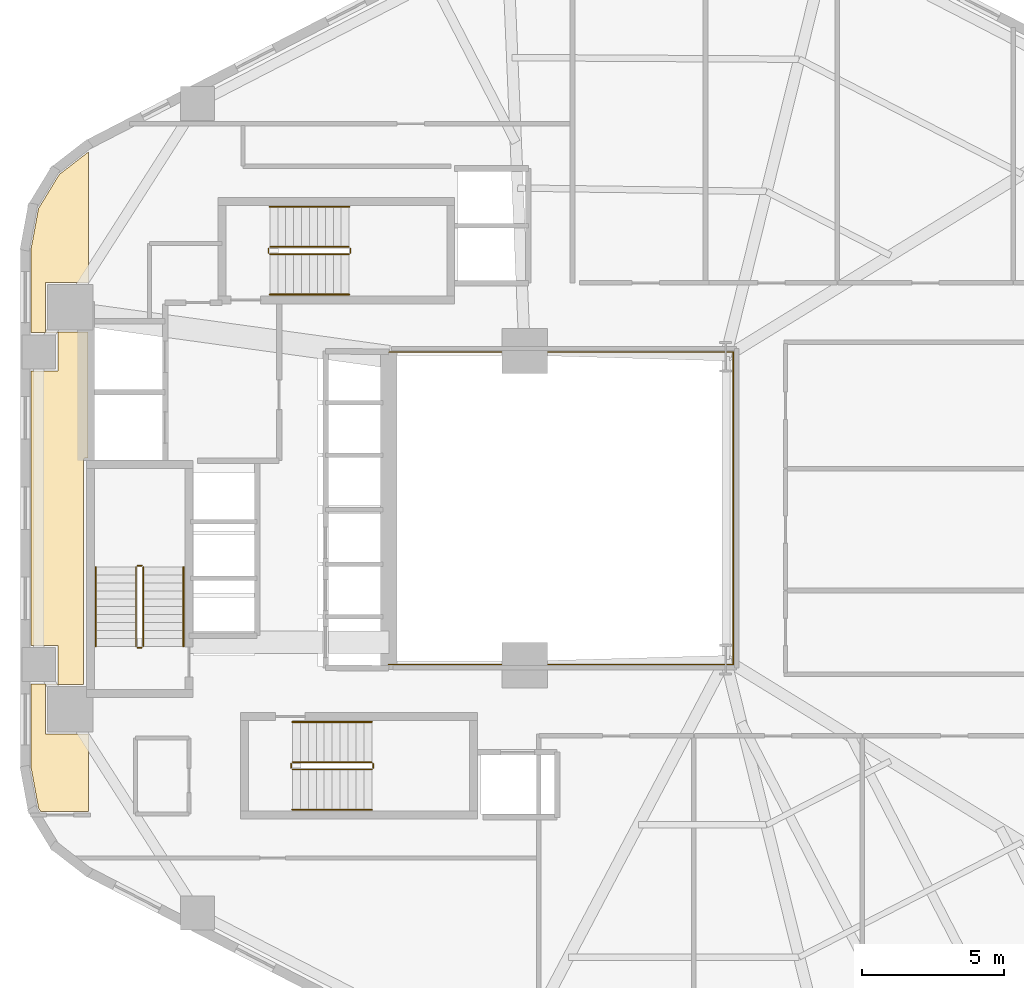
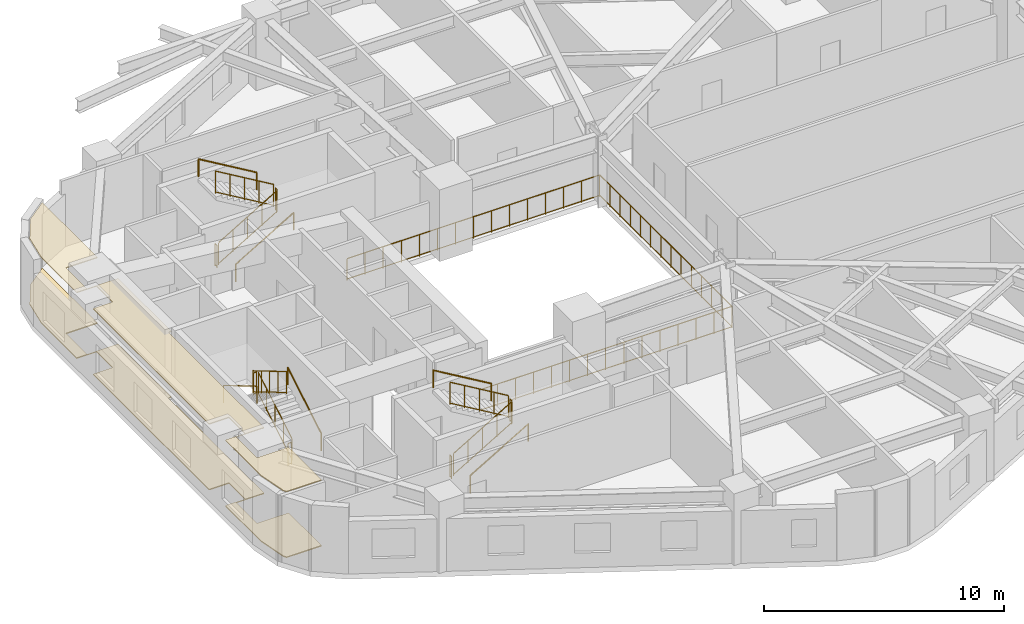
# One storey, part 7 of 7: 19 railings, 2 coverings.
"""IFC4 building model written with IfcOpenShell, lengths in metres."""

from ifc_helpers import new_model, si_unit, direction, frame, origin, origin_2d, place, context, subcontext, project, spatial, polyline, circle, outline, extrude, material, layer, layer_set, type_object, element, save


model = new_model("IFC4")

# Units and contexts
model_context = context("Model", 3, precision=1e-05, world=origin(), true_north=direction((0.0, 1.0)))
body_context = subcontext(model_context, "Body", "Model", "MODEL_VIEW")
ifc_project = project(units=[si_unit("LENGTHUNIT", "METRE"), si_unit("AREAUNIT", "SQUARE_METRE"), si_unit("VOLUMEUNIT", "CUBIC_METRE"), si_unit("PLANEANGLEUNIT", "RADIAN"), si_unit("MASSUNIT", "GRAM", prefix="KILO"), si_unit("THERMODYNAMICTEMPERATUREUNIT", "KELVIN"), si_unit("POWERUNIT", "WATT")], contexts=[model_context])

# Site, building, storey
site_placement = place(None, origin())
site = spatial("IfcSite", under=ifc_project, at=site_placement, CompositionType="ELEMENT")
building_placement = place(site_placement, origin())
building = spatial("IfcBuilding", under=site, at=building_placement, Name="Skarre Station Tower", CompositionType="ELEMENT")
storey_placement = place(building_placement, frame((0.0, 0.0, 41.60009765625)))
storey = spatial("IfcBuildingStorey", under=building, at=storey_placement, Name="L10", CompositionType="ELEMENT", Elevation=41.60009765625)

# Railing
ifc_material_1 = material(Name="Bronze Anodized Steel & Laminated Glass Balustrade", Category="steel")
railing_type_1 = type_object("IfcRailingType", Name="Atrium Void & Mezzanine Guard Balustrade 1120", PredefinedType="GUARDRAIL", material=ifc_material_1)
railing_1_placement = place(storey_placement, frame((27.550048828125, 18.47998046875, 0.0)))
element("IfcRailing", 1, at=railing_1_placement, inside=storey, type_object=railing_type_1, Name="L10 Atrium Void Guard Balustrade", PredefinedType="GUARDRAIL", context=body_context, shape_type="SweptSolid", body=[
    extrude(circle(Radius=0.02392578125, at=origin_2d()), frame((0.0, 0.0, 1.09619140625), z_axis=(1.0, 0.0, 0.0), x_axis=(0.0, 1.0, 0.0)), (0.0, 0.0, 1.0), 12.169921875),
    extrude(circle(Radius=0.02099609375, at=origin_2d()), frame((0.0, 0.0, 0.06005859375), z_axis=(1.0, 0.0, 0.0), x_axis=(0.0, 1.0, 0.0)), (0.0, 0.0, 1.0), 12.169921875),
    extrude(circle(Radius=0.02392578125, at=origin_2d()), frame((12.169921875, 0.0, 1.09619140625), z_axis=(0.0, 1.0, 0.0), x_axis=(-1.0, 0.0, 0.0)), (0.0, 0.0, 1.0), 11.0400390625),
    extrude(circle(Radius=0.02099609375, at=origin_2d()), frame((12.169921875, 0.0, 0.06005859375), z_axis=(0.0, 1.0, 0.0), x_axis=(-1.0, 0.0, 0.0)), (0.0, 0.0, 1.0), 11.0400390625),
    extrude(circle(Radius=0.02392578125, at=origin_2d()), frame((12.169921875, 11.0400390625, 1.09619140625), z_axis=(-1.0, 0.0, 0.0), x_axis=(0.0, -1.0, 0.0)), (0.0, 0.0, 1.0), 12.169921875),
    extrude(circle(Radius=0.02099609375, at=origin_2d()), frame((12.169921875, 11.0400390625, 0.06005859375), z_axis=(-1.0, 0.0, 0.0), x_axis=(0.0, -1.0, 0.0)), (0.0, 0.0, 1.0), 12.169921875),
    extrude(circle(Radius=0.02099609375, at=origin_2d()), origin(), (0.0, 0.0, 1.0), 1.072021484375),
    extrude(circle(Radius=0.02099609375, at=origin_2d()), frame((0.869384765625, 0.0, 0.0)), (0.0, 0.0, 1.0), 1.072021484375),
    extrude(circle(Radius=0.02099609375, at=origin_2d()), frame((1.738525390625, 0.0, 0.0)), (0.0, 0.0, 1.0), 1.072021484375),
    extrude(circle(Radius=0.02099609375, at=origin_2d()), frame((2.60791015625, 0.0, 0.0)), (0.0, 0.0, 1.0), 1.072021484375),
    extrude(circle(Radius=0.02099609375, at=origin_2d()), frame((3.47705078125, 0.0, 0.0)), (0.0, 0.0, 1.0), 1.072021484375),
    extrude(circle(Radius=0.02099609375, at=origin_2d()), frame((4.346435546875, 0.0, 0.0)), (0.0, 0.0, 1.0), 1.072021484375),
    extrude(circle(Radius=0.02099609375, at=origin_2d()), frame((5.215576171875, 0.0, 0.0)), (0.0, 0.0, 1.0), 1.072021484375),
    extrude(circle(Radius=0.02099609375, at=origin_2d()), frame((6.0849609375, 0.0, 0.0)), (0.0, 0.0, 1.0), 1.072021484375),
    extrude(circle(Radius=0.02099609375, at=origin_2d()), frame((6.954345703125, 0.0, 0.0)), (0.0, 0.0, 1.0), 1.072021484375),
    extrude(circle(Radius=0.02099609375, at=origin_2d()), frame((7.823486328125, 0.0, 0.0)), (0.0, 0.0, 1.0), 1.072021484375),
    extrude(circle(Radius=0.02099609375, at=origin_2d()), frame((8.69287109375, 0.0, 0.0)), (0.0, 0.0, 1.0), 1.072021484375),
    extrude(circle(Radius=0.02099609375, at=origin_2d()), frame((9.56201171875, 0.0, 0.0)), (0.0, 0.0, 1.0), 1.072021484375),
    extrude(circle(Radius=0.02099609375, at=origin_2d()), frame((10.431396484375, 0.0, 0.0)), (0.0, 0.0, 1.0), 1.072021484375),
    extrude(circle(Radius=0.02099609375, at=origin_2d()), frame((11.300537109375, 0.0, 0.0)), (0.0, 0.0, 1.0), 1.072021484375),
    extrude(circle(Radius=0.02099609375, at=origin_2d()), frame((12.169921875, 0.0, 0.0)), (0.0, 0.0, 1.0), 1.072021484375),
    extrude(circle(Radius=0.02099609375, at=origin_2d()), frame((12.169921875, 0.84912109375, 0.0)), (0.0, 0.0, 1.0), 1.072021484375),
    extrude(circle(Radius=0.02099609375, at=origin_2d()), frame((12.169921875, 1.698486328125, 0.0)), (0.0, 0.0, 1.0), 1.072021484375),
    extrude(circle(Radius=0.02099609375, at=origin_2d()), frame((12.169921875, 2.547607421875, 0.0)), (0.0, 0.0, 1.0), 1.072021484375),
    extrude(circle(Radius=0.02099609375, at=origin_2d()), frame((12.169921875, 3.39697265625, 0.0)), (0.0, 0.0, 1.0), 1.072021484375),
    extrude(circle(Radius=0.02099609375, at=origin_2d()), frame((12.169921875, 4.24609375, 0.0)), (0.0, 0.0, 1.0), 1.072021484375),
    extrude(circle(Radius=0.02099609375, at=origin_2d()), frame((12.169921875, 5.095458984375, 0.0)), (0.0, 0.0, 1.0), 1.072021484375),
    extrude(circle(Radius=0.02099609375, at=origin_2d()), frame((12.169921875, 5.944580078125, 0.0)), (0.0, 0.0, 1.0), 1.072021484375),
    extrude(circle(Radius=0.02099609375, at=origin_2d()), frame((12.169921875, 6.7939453125, 0.0)), (0.0, 0.0, 1.0), 1.072021484375),
    extrude(circle(Radius=0.02099609375, at=origin_2d()), frame((12.169921875, 7.64306640625, 0.0)), (0.0, 0.0, 1.0), 1.072021484375),
    extrude(circle(Radius=0.02099609375, at=origin_2d()), frame((12.169921875, 8.492431640625, 0.0)), (0.0, 0.0, 1.0), 1.072021484375),
    extrude(circle(Radius=0.02099609375, at=origin_2d()), frame((12.169921875, 9.341552734375, 0.0)), (0.0, 0.0, 1.0), 1.072021484375),
    extrude(circle(Radius=0.02099609375, at=origin_2d()), frame((12.169921875, 10.19091796875, 0.0)), (0.0, 0.0, 1.0), 1.072021484375),
    extrude(circle(Radius=0.02099609375, at=origin_2d()), frame((12.169921875, 11.0400390625, 0.0)), (0.0, 0.0, 1.0), 1.072021484375),
    extrude(circle(Radius=0.02099609375, at=origin_2d()), frame((11.300537109375, 11.0400390625, 0.0)), (0.0, 0.0, 1.0), 1.072021484375),
    extrude(circle(Radius=0.02099609375, at=origin_2d()), frame((10.431396484375, 11.0400390625, 0.0)), (0.0, 0.0, 1.0), 1.072021484375),
    extrude(circle(Radius=0.02099609375, at=origin_2d()), frame((9.56201171875, 11.0400390625, 0.0)), (0.0, 0.0, 1.0), 1.072021484375),
    extrude(circle(Radius=0.02099609375, at=origin_2d()), frame((8.69287109375, 11.0400390625, 0.0)), (0.0, 0.0, 1.0), 1.072021484375),
    extrude(circle(Radius=0.02099609375, at=origin_2d()), frame((7.823486328125, 11.0400390625, 0.0)), (0.0, 0.0, 1.0), 1.072021484375),
    extrude(circle(Radius=0.02099609375, at=origin_2d()), frame((6.954345703125, 11.0400390625, 0.0)), (0.0, 0.0, 1.0), 1.072021484375),
    extrude(circle(Radius=0.02099609375, at=origin_2d()), frame((6.0849609375, 11.0400390625, 0.0)), (0.0, 0.0, 1.0), 1.072021484375),
    extrude(circle(Radius=0.02099609375, at=origin_2d()), frame((5.215576171875, 11.0400390625, 0.0)), (0.0, 0.0, 1.0), 1.072021484375),
    extrude(circle(Radius=0.02099609375, at=origin_2d()), frame((4.346435546875, 11.0400390625, 0.0)), (0.0, 0.0, 1.0), 1.072021484375),
    extrude(circle(Radius=0.02099609375, at=origin_2d()), frame((3.47705078125, 11.0400390625, 0.0)), (0.0, 0.0, 1.0), 1.072021484375),
    extrude(circle(Radius=0.02099609375, at=origin_2d()), frame((2.60791015625, 11.0400390625, 0.0)), (0.0, 0.0, 1.0), 1.072021484375),
    extrude(circle(Radius=0.02099609375, at=origin_2d()), frame((1.738525390625, 11.0400390625, 0.0)), (0.0, 0.0, 1.0), 1.072021484375),
    extrude(circle(Radius=0.02099609375, at=origin_2d()), frame((0.869384765625, 11.0400390625, 0.0)), (0.0, 0.0, 1.0), 1.072021484375),
    extrude(circle(Radius=0.02099609375, at=origin_2d()), frame((0.0, 11.0400390625, 0.0)), (0.0, 0.0, 1.0), 1.072021484375),
])

# Coverings
ifc_material_2 = material(Name="Honed Jura Limestone & Calcium-Sulfate Access Tile", Category="masonry")
ifc_layer_1 = layer(ifc_material_2, 0.050048828125, Name="Honed Jura Limestone & Calcium-Sulfate Access Tile")
ifc_layer_set_1 = layer_set([ifc_layer_1], Name="Honed Jura Limestone & Calcium-Sulfate Access Tile")
covering_type_1 = type_object("IfcCoveringType", Name="Honed Limestone & Raised Access Floor Finish 50", PredefinedType="FLOORING", material=ifc_layer_set_1)
covering_1_placement = place(storey_placement, origin())
element("IfcCovering", 2, at=covering_1_placement, inside=storey, type_object=covering_type_1, Name="L10 Limestone Access Flooring 1", PredefinedType="FLOORING", context=body_context, shape_type="SweptSolid", body=[
    extrude(outline(polyline([(16.93994140625, 36.583984375), (15.910888671875, 35.787109375), (15.178955078125, 34.5859375), (14.9169921875, 33.1669921875), (14.9169921875, 30.200927734375), (15.866943359375, 30.200927734375), (15.866943359375, 28.841064453125), (14.9169921875, 28.841064453125), (14.9169921875, 19.158935546875), (15.866943359375, 19.158935546875), (15.866943359375, 17.799072265625), (14.9169921875, 17.799072265625), (14.9169921875, 14.8330078125), (15.178955078125, 13.4140625), (15.260986328125, 13.280029296875), (16.93994140625, 13.280029296875), (16.93994140625, 16.02001953125), (15.419921875, 16.02001953125), (15.419921875, 17.780029296875), (16.77001953125, 17.780029296875), (16.77001953125, 25.699951171875), (16.77001953125, 25.7080078125), (16.77197265625, 25.716064453125), (16.77294921875, 25.722900390625), (16.77587890625, 25.73095703125), (16.779052734375, 25.738037109375), (16.782958984375, 25.743896484375), (16.7880859375, 25.7509765625), (16.79296875, 25.757080078125), (16.799072265625, 25.761962890625), (16.805908203125, 25.76708984375), (16.81201171875, 25.77099609375), (16.819091796875, 25.77392578125), (16.826904296875, 25.777099609375), (16.833984375, 25.778076171875), (16.842041015625, 25.780029296875), (16.85009765625, 25.780029296875), (16.919921875, 25.780029296875), (16.919921875, 30.219970703125), (15.419921875, 30.219970703125), (15.419921875, 31.97998046875), (16.93994140625, 31.97998046875), (16.93994140625, 36.583984375)])), origin(), (0.0, 0.0, 1.0), 0.0498046875),
])
ifc_material_3 = material(Name="Perforated Nordic Birch Veneer & Mineral Wool", Category="wood")
ifc_layer_2 = layer(ifc_material_3, 0.044921875, Name="Perforated Nordic Birch Veneer & Mineral Wool")
ifc_layer_set_2 = layer_set([ifc_layer_2], Name="Perforated Nordic Birch Veneer & Mineral Wool")
covering_type_2 = type_object("IfcCoveringType", Name="Nordic Birch Slatted Acoustic Suspended Ceiling 45", PredefinedType="CEILING", material=ifc_layer_set_2)
covering_2_placement = place(storey_placement, frame((0.0, 0.0, 3.344970703125)))
element("IfcCovering", 3, at=covering_2_placement, inside=storey, type_object=covering_type_2, Name="L10 Acoustic Birch Ceiling 1", PredefinedType="CEILING", context=body_context, shape_type="SweptSolid", body=[
    extrude(outline(polyline([(16.93994140625, 36.583984375), (15.910888671875, 35.787109375), (15.178955078125, 34.5859375), (14.9169921875, 33.1669921875), (14.9169921875, 30.200927734375), (15.866943359375, 30.200927734375), (15.866943359375, 28.841064453125), (14.9169921875, 28.841064453125), (14.9169921875, 19.158935546875), (15.866943359375, 19.158935546875), (15.866943359375, 17.799072265625), (14.9169921875, 17.799072265625), (14.9169921875, 14.8330078125), (15.178955078125, 13.4140625), (15.260986328125, 13.280029296875), (16.93994140625, 13.280029296875), (16.93994140625, 16.02001953125), (15.419921875, 16.02001953125), (15.419921875, 17.780029296875), (16.77001953125, 17.780029296875), (16.77001953125, 25.699951171875), (16.77001953125, 25.7080078125), (16.77197265625, 25.716064453125), (16.77294921875, 25.722900390625), (16.77587890625, 25.73095703125), (16.779052734375, 25.738037109375), (16.782958984375, 25.743896484375), (16.7880859375, 25.7509765625), (16.79296875, 25.757080078125), (16.799072265625, 25.761962890625), (16.805908203125, 25.76708984375), (16.81201171875, 25.77099609375), (16.819091796875, 25.77392578125), (16.826904296875, 25.777099609375), (16.833984375, 25.778076171875), (16.842041015625, 25.780029296875), (16.85009765625, 25.780029296875), (16.919921875, 25.780029296875), (16.919921875, 30.219970703125), (15.419921875, 30.219970703125), (15.419921875, 31.97998046875), (16.93994140625, 31.97998046875), (16.93994140625, 36.583984375)])), origin(), (0.0, 0.0, 1.0), 0.044921875),
])

# Railings
ifc_material_4 = material(Name="Powder-Coated Tubular Steel", Category="steel")
railing_type_2 = type_object("IfcRailingType", Name="Painted Steel Ramp & Stair Handrail 920", PredefinedType="HANDRAIL", material=ifc_material_4)
railing_2_placement = place(storey_placement, frame((20.300048828125, 19.1201171875, 0.165771484375)))
element("IfcRailing", 4, at=railing_2_placement, inside=storey, type_object=railing_type_2, Name="L10 ST-1 stair handrail 1", PredefinedType="HANDRAIL", context=body_context, shape_type="SweptSolid", body=[
    extrude(circle(Radius=0.02392578125, at=origin_2d()), frame((0.0, 0.0, 0.8759765625), z_axis=(0.0, 0.860286659441, 0.509810615413), x_axis=(-1.0, 0.0, 0.0)), (0.0, 0.0, 1.0), 3.25439453125),
    extrude(circle(Radius=0.02099609375, at=origin_2d()), origin(), (0.0, 0.0, 1.0), 0.851806640625),
    extrude(circle(Radius=0.02099609375, at=origin_2d()), frame((0.0, 2.7998046875, 1.6591796875)), (0.0, 0.0, 1.0), 0.851806640625),
])
railing_3_placement = place(storey_placement, frame((17.199951171875, 21.919921875, 1.99072265625)))
element("IfcRailing", 5, at=railing_3_placement, inside=storey, type_object=railing_type_2, Name="L10 ST-1 stair handrail 2", PredefinedType="HANDRAIL", context=body_context, shape_type="SweptSolid", body=[
    extrude(circle(Radius=0.02392578125, at=origin_2d()), frame((0.0, 0.0, 0.8759765625), z_axis=(0.0, -0.860286659441, 0.509810615413), x_axis=(1.0, 0.0, 0.0)), (0.0, 0.0, 1.0), 3.25439453125),
    extrude(circle(Radius=0.02099609375, at=origin_2d()), origin(), (0.0, 0.0, 1.0), 0.851806640625),
    extrude(circle(Radius=0.02099609375, at=origin_2d()), frame((0.0, -2.7998046875, 1.6591796875)), (0.0, 0.0, 1.0), 0.851806640625),
])
railing_4_placement = place(storey_placement, frame((24.14990234375, 13.35009765625, 0.165771484375)))
element("IfcRailing", 6, at=railing_4_placement, inside=storey, type_object=railing_type_2, Name="L10 ST-2 stair handrail 1", PredefinedType="HANDRAIL", context=body_context, shape_type="SweptSolid", body=[
    extrude(circle(Radius=0.02392578125, at=origin_2d()), frame((0.0, 0.0, 0.8759765625), z_axis=(0.860306154799, 0.0, 0.50977771628), x_axis=(0.0, 1.0, 0.0)), (0.0, 0.0, 1.0), 3.254638671875),
    extrude(circle(Radius=0.02099609375, at=origin_2d()), origin(), (0.0, 0.0, 1.0), 0.851806640625),
    extrude(circle(Radius=0.02099609375, at=origin_2d()), frame((2.800048828125, 0.0, 1.6591796875)), (0.0, 0.0, 1.0), 0.851806640625),
])
railing_5_placement = place(storey_placement, frame((26.949951171875, 16.449951171875, 1.99072265625)))
element("IfcRailing", 7, at=railing_5_placement, inside=storey, type_object=railing_type_2, Name="L10 ST-2 stair handrail 2", PredefinedType="HANDRAIL", context=body_context, shape_type="SweptSolid", body=[
    extrude(circle(Radius=0.02392578125, at=origin_2d()), frame((0.0, 0.0, 0.8759765625), z_axis=(-0.860306154799, 0.0, 0.50977771628), x_axis=(0.0, -1.0, 0.0)), (0.0, 0.0, 1.0), 3.254638671875),
    extrude(circle(Radius=0.02099609375, at=origin_2d()), origin(), (0.0, 0.0, 1.0), 0.851806640625),
    extrude(circle(Radius=0.02099609375, at=origin_2d()), frame((-2.800048828125, 0.0, 1.6591796875)), (0.0, 0.0, 1.0), 0.851806640625),
])
railing_6_placement = place(storey_placement, frame((23.35009765625, 31.550048828125, 0.165771484375)))
element("IfcRailing", 8, at=railing_6_placement, inside=storey, type_object=railing_type_2, Name="L10 ST-3 stair handrail 1", PredefinedType="HANDRAIL", context=body_context, shape_type="SweptSolid", body=[
    extrude(circle(Radius=0.02392578125, at=origin_2d()), frame((0.0, 0.0, 0.8759765625), z_axis=(0.860286659441, 0.0, 0.509810615413), x_axis=(0.0, 1.0, 0.0)), (0.0, 0.0, 1.0), 3.25439453125),
    extrude(circle(Radius=0.02099609375, at=origin_2d()), origin(), (0.0, 0.0, 1.0), 0.851806640625),
    extrude(circle(Radius=0.02099609375, at=origin_2d()), frame((2.7998046875, 0.0, 1.6591796875)), (0.0, 0.0, 1.0), 0.851806640625),
])
railing_7_placement = place(storey_placement, frame((26.14990234375, 34.64990234375, 1.99072265625)))
element("IfcRailing", 9, at=railing_7_placement, inside=storey, type_object=railing_type_2, Name="L10 ST-3 stair handrail 2", PredefinedType="HANDRAIL", context=body_context, shape_type="SweptSolid", body=[
    extrude(circle(Radius=0.02392578125, at=origin_2d()), frame((0.0, 0.0, 0.8759765625), z_axis=(-0.860286659441, 0.0, 0.509810615413), x_axis=(0.0, -1.0, 0.0)), (0.0, 0.0, 1.0), 3.25439453125),
    extrude(circle(Radius=0.02099609375, at=origin_2d()), origin(), (0.0, 0.0, 1.0), 0.851806640625),
    extrude(circle(Radius=0.02099609375, at=origin_2d()), frame((-2.7998046875, 0.0, 1.6591796875)), (0.0, 0.0, 1.0), 0.851806640625),
])
railing_type_3 = type_object("IfcRailingType", Name="Painted Steel Stairwell Guardrail 1100", PredefinedType="GUARDRAIL", material=ifc_material_4)
railing_8_placement = place(storey_placement, frame((18.8798828125, 19.1201171875, 0.165771484375)))
element("IfcRailing", 10, at=railing_8_placement, inside=storey, type_object=railing_type_3, Name="L10 ST-1 stair guard 1", PredefinedType="GUARDRAIL", context=body_context, shape_type="SweptSolid", body=[
    extrude(circle(Radius=0.02392578125, at=origin_2d()), frame((0.0, 0.0, 1.1259765625), z_axis=(0.0, 0.860286659441, 0.509810615413), x_axis=(-1.0, 0.0, 0.0)), (0.0, 0.0, 1.0), 3.25439453125),
    extrude(circle(Radius=0.02099609375, at=origin_2d()), frame((0.0, 0.0, 0.06005859375), z_axis=(0.0, 0.860286659441, 0.509810615413), x_axis=(-1.0, 0.0, 0.0)), (0.0, 0.0, 1.0), 3.25439453125),
    extrude(circle(Radius=0.02099609375, at=origin_2d()), origin(), (0.0, 0.0, 1.0), 1.101806640625),
    extrude(circle(Radius=0.02099609375, at=origin_2d()), frame((0.0, 0.699951171875, 0.414794921875)), (0.0, 0.0, 1.0), 1.101806640625),
    extrude(circle(Radius=0.02099609375, at=origin_2d()), frame((0.0, 1.39990234375, 0.82958984375)), (0.0, 0.0, 1.0), 1.101806640625),
    extrude(circle(Radius=0.02099609375, at=origin_2d()), frame((0.0, 2.099853515625, 1.244384765625)), (0.0, 0.0, 1.0), 1.101806640625),
    extrude(circle(Radius=0.02099609375, at=origin_2d()), frame((0.0, 2.7998046875, 1.6591796875)), (0.0, 0.0, 1.0), 1.101806640625),
])
railing_9_placement = place(storey_placement, frame((18.830078125, 21.969970703125, 1.824951171875)))
element("IfcRailing", 11, at=railing_9_placement, inside=storey, type_object=railing_type_3, Name="L10 ST-1 stair guard 2", PredefinedType="GUARDRAIL", context=body_context, shape_type="SweptSolid", body=[
    extrude(circle(Radius=0.02392578125, at=origin_2d()), frame((0.0, 0.0, 1.1259765625), z_axis=(-1.0, 0.0, 0.0), x_axis=(0.0, -1.0, 0.0)), (0.0, 0.0, 1.0), 0.16015625),
    extrude(circle(Radius=0.02099609375, at=origin_2d()), frame((0.0, 0.0, 0.06005859375), z_axis=(-1.0, 0.0, 0.0), x_axis=(0.0, -1.0, 0.0)), (0.0, 0.0, 1.0), 0.16015625),
    extrude(circle(Radius=0.02099609375, at=origin_2d()), origin(), (0.0, 0.0, 1.0), 1.101806640625),
    extrude(circle(Radius=0.02099609375, at=origin_2d()), frame((-0.16015625, 0.0, 0.0)), (0.0, 0.0, 1.0), 1.101806640625),
])
railing_10_placement = place(storey_placement, frame((18.6201171875, 21.919921875, 1.99072265625)))
element("IfcRailing", 12, at=railing_10_placement, inside=storey, type_object=railing_type_3, Name="L10 ST-1 stair guard 3", PredefinedType="GUARDRAIL", context=body_context, shape_type="SweptSolid", body=[
    extrude(circle(Radius=0.02392578125, at=origin_2d()), frame((0.0, 0.0, 1.1259765625), z_axis=(0.0, -0.860286659441, 0.509810615413), x_axis=(1.0, 0.0, 0.0)), (0.0, 0.0, 1.0), 3.25439453125),
    extrude(circle(Radius=0.02099609375, at=origin_2d()), frame((0.0, 0.0, 0.06005859375), z_axis=(0.0, -0.860286659441, 0.509810615413), x_axis=(1.0, 0.0, 0.0)), (0.0, 0.0, 1.0), 3.25439453125),
    extrude(circle(Radius=0.02099609375, at=origin_2d()), origin(), (0.0, 0.0, 1.0), 1.101806640625),
    extrude(circle(Radius=0.02099609375, at=origin_2d()), frame((0.0, -0.699951171875, 0.414794921875)), (0.0, 0.0, 1.0), 1.101806640625),
    extrude(circle(Radius=0.02099609375, at=origin_2d()), frame((0.0, -1.39990234375, 0.82958984375)), (0.0, 0.0, 1.0), 1.101806640625),
    extrude(circle(Radius=0.02099609375, at=origin_2d()), frame((0.0, -2.099853515625, 1.244384765625)), (0.0, 0.0, 1.0), 1.101806640625),
    extrude(circle(Radius=0.02099609375, at=origin_2d()), frame((0.0, -2.7998046875, 1.6591796875)), (0.0, 0.0, 1.0), 1.101806640625),
])
railing_11_placement = place(storey_placement, frame((18.830078125, 19.070068359375, 0.0)))
element("IfcRailing", 13, at=railing_11_placement, inside=storey, type_object=railing_type_3, Name="L10 ST-1 stair guard 4", PredefinedType="GUARDRAIL", context=body_context, shape_type="SweptSolid", body=[
    extrude(circle(Radius=0.02392578125, at=origin_2d()), frame((0.0, 0.0, 1.1259765625), z_axis=(-1.0, 0.0, 0.0), x_axis=(0.0, -1.0, 0.0)), (0.0, 0.0, 1.0), 0.16015625),
    extrude(circle(Radius=0.02099609375, at=origin_2d()), frame((0.0, 0.0, 0.06005859375), z_axis=(-1.0, 0.0, 0.0), x_axis=(0.0, -1.0, 0.0)), (0.0, 0.0, 1.0), 0.16015625),
    extrude(circle(Radius=0.02099609375, at=origin_2d()), origin(), (0.0, 0.0, 1.0), 1.101806640625),
    extrude(circle(Radius=0.02099609375, at=origin_2d()), frame((-0.16015625, 0.0, 0.0)), (0.0, 0.0, 1.0), 1.101806640625),
])
railing_12_placement = place(storey_placement, frame((24.14990234375, 14.77001953125, 0.165771484375)))
element("IfcRailing", 14, at=railing_12_placement, inside=storey, type_object=railing_type_3, Name="L10 ST-2 stair guard 1", PredefinedType="GUARDRAIL", context=body_context, shape_type="SweptSolid", body=[
    extrude(circle(Radius=0.02392578125, at=origin_2d()), frame((0.0, 0.0, 1.1259765625), z_axis=(0.860306154799, 0.0, 0.50977771628), x_axis=(0.0, 1.0, 0.0)), (0.0, 0.0, 1.0), 3.254638671875),
    extrude(circle(Radius=0.02099609375, at=origin_2d()), frame((0.0, 0.0, 0.06005859375), z_axis=(0.860306154799, 0.0, 0.50977771628), x_axis=(0.0, 1.0, 0.0)), (0.0, 0.0, 1.0), 3.254638671875),
    extrude(circle(Radius=0.02099609375, at=origin_2d()), origin(), (0.0, 0.0, 1.0), 1.101806640625),
    extrude(circle(Radius=0.02099609375, at=origin_2d()), frame((0.699951171875, 0.0, 0.414794921875)), (0.0, 0.0, 1.0), 1.101806640625),
    extrude(circle(Radius=0.02099609375, at=origin_2d()), frame((1.39990234375, 0.0, 0.82958984375)), (0.0, 0.0, 1.0), 1.101806640625),
    extrude(circle(Radius=0.02099609375, at=origin_2d()), frame((2.10009765625, 0.0, 1.244384765625)), (0.0, 0.0, 1.0), 1.101806640625),
    extrude(circle(Radius=0.02099609375, at=origin_2d()), frame((2.800048828125, 0.0, 1.6591796875)), (0.0, 0.0, 1.0), 1.101806640625),
])
railing_13_placement = place(storey_placement, frame((27.0, 14.820068359375, 1.824951171875)))
element("IfcRailing", 15, at=railing_13_placement, inside=storey, type_object=railing_type_3, Name="L10 ST-2 stair guard 2", PredefinedType="GUARDRAIL", context=body_context, shape_type="SweptSolid", body=[
    extrude(circle(Radius=0.02392578125, at=origin_2d()), frame((0.0, 0.0, 1.1259765625), z_axis=(0.0, 1.0, 0.0), x_axis=(-1.0, 0.0, 0.0)), (0.0, 0.0, 1.0), 0.159912109375),
    extrude(circle(Radius=0.02099609375, at=origin_2d()), frame((0.0, 0.0, 0.06005859375), z_axis=(0.0, 1.0, 0.0), x_axis=(-1.0, 0.0, 0.0)), (0.0, 0.0, 1.0), 0.159912109375),
    extrude(circle(Radius=0.02099609375, at=origin_2d()), origin(), (0.0, 0.0, 1.0), 1.101806640625),
    extrude(circle(Radius=0.02099609375, at=origin_2d()), frame((0.0, 0.159912109375, 0.0)), (0.0, 0.0, 1.0), 1.101806640625),
])
railing_14_placement = place(storey_placement, frame((26.949951171875, 15.030029296875, 1.99072265625)))
element("IfcRailing", 16, at=railing_14_placement, inside=storey, type_object=railing_type_3, Name="L10 ST-2 stair guard 3", PredefinedType="GUARDRAIL", context=body_context, shape_type="SweptSolid", body=[
    extrude(circle(Radius=0.02392578125, at=origin_2d()), frame((0.0, 0.0, 1.1259765625), z_axis=(-0.860306154799, 0.0, 0.50977771628), x_axis=(0.0, -1.0, 0.0)), (0.0, 0.0, 1.0), 3.254638671875),
    extrude(circle(Radius=0.02099609375, at=origin_2d()), frame((0.0, 0.0, 0.06005859375), z_axis=(-0.860306154799, 0.0, 0.50977771628), x_axis=(0.0, -1.0, 0.0)), (0.0, 0.0, 1.0), 3.254638671875),
    extrude(circle(Radius=0.02099609375, at=origin_2d()), origin(), (0.0, 0.0, 1.0), 1.101806640625),
    extrude(circle(Radius=0.02099609375, at=origin_2d()), frame((-0.699951171875, 0.0, 0.414794921875)), (0.0, 0.0, 1.0), 1.101806640625),
    extrude(circle(Radius=0.02099609375, at=origin_2d()), frame((-1.39990234375, 0.0, 0.82958984375)), (0.0, 0.0, 1.0), 1.101806640625),
    extrude(circle(Radius=0.02099609375, at=origin_2d()), frame((-2.10009765625, 0.0, 1.244384765625)), (0.0, 0.0, 1.0), 1.101806640625),
    extrude(circle(Radius=0.02099609375, at=origin_2d()), frame((-2.800048828125, 0.0, 1.6591796875)), (0.0, 0.0, 1.0), 1.101806640625),
])
railing_15_placement = place(storey_placement, frame((24.10009765625, 14.820068359375, 0.0)))
element("IfcRailing", 17, at=railing_15_placement, inside=storey, type_object=railing_type_3, Name="L10 ST-2 stair guard 4", PredefinedType="GUARDRAIL", context=body_context, shape_type="SweptSolid", body=[
    extrude(circle(Radius=0.02392578125, at=origin_2d()), frame((0.0, 0.0, 1.1259765625), z_axis=(0.0, 1.0, 0.0), x_axis=(-1.0, 0.0, 0.0)), (0.0, 0.0, 1.0), 0.159912109375),
    extrude(circle(Radius=0.02099609375, at=origin_2d()), frame((0.0, 0.0, 0.06005859375), z_axis=(0.0, 1.0, 0.0), x_axis=(-1.0, 0.0, 0.0)), (0.0, 0.0, 1.0), 0.159912109375),
    extrude(circle(Radius=0.02099609375, at=origin_2d()), origin(), (0.0, 0.0, 1.0), 1.101806640625),
    extrude(circle(Radius=0.02099609375, at=origin_2d()), frame((0.0, 0.159912109375, 0.0)), (0.0, 0.0, 1.0), 1.101806640625),
])
railing_16_placement = place(storey_placement, frame((23.35009765625, 32.969970703125, 0.165771484375)))
element("IfcRailing", 18, at=railing_16_placement, inside=storey, type_object=railing_type_3, Name="L10 ST-3 stair guard 1", PredefinedType="GUARDRAIL", context=body_context, shape_type="SweptSolid", body=[
    extrude(circle(Radius=0.02392578125, at=origin_2d()), frame((0.0, 0.0, 1.1259765625), z_axis=(0.860286659441, 0.0, 0.509810615413), x_axis=(0.0, 1.0, 0.0)), (0.0, 0.0, 1.0), 3.25439453125),
    extrude(circle(Radius=0.02099609375, at=origin_2d()), frame((0.0, 0.0, 0.06005859375), z_axis=(0.860286659441, 0.0, 0.509810615413), x_axis=(0.0, 1.0, 0.0)), (0.0, 0.0, 1.0), 3.25439453125),
    extrude(circle(Radius=0.02099609375, at=origin_2d()), origin(), (0.0, 0.0, 1.0), 1.101806640625),
    extrude(circle(Radius=0.02099609375, at=origin_2d()), frame((0.699951171875, 0.0, 0.414794921875)), (0.0, 0.0, 1.0), 1.101806640625),
    extrude(circle(Radius=0.02099609375, at=origin_2d()), frame((1.39990234375, 0.0, 0.82958984375)), (0.0, 0.0, 1.0), 1.101806640625),
    extrude(circle(Radius=0.02099609375, at=origin_2d()), frame((2.099853515625, 0.0, 1.244384765625)), (0.0, 0.0, 1.0), 1.101806640625),
    extrude(circle(Radius=0.02099609375, at=origin_2d()), frame((2.7998046875, 0.0, 1.6591796875)), (0.0, 0.0, 1.0), 1.101806640625),
])
railing_17_placement = place(storey_placement, frame((26.199951171875, 33.02001953125, 1.824951171875)))
element("IfcRailing", 19, at=railing_17_placement, inside=storey, type_object=railing_type_3, Name="L10 ST-3 stair guard 2", PredefinedType="GUARDRAIL", context=body_context, shape_type="SweptSolid", body=[
    extrude(circle(Radius=0.02392578125, at=origin_2d()), frame((0.0, 0.0, 1.1259765625), z_axis=(0.0, 1.0, 0.0), x_axis=(-1.0, 0.0, 0.0)), (0.0, 0.0, 1.0), 0.159912109375),
    extrude(circle(Radius=0.02099609375, at=origin_2d()), frame((0.0, 0.0, 0.06005859375), z_axis=(0.0, 1.0, 0.0), x_axis=(-1.0, 0.0, 0.0)), (0.0, 0.0, 1.0), 0.159912109375),
    extrude(circle(Radius=0.02099609375, at=origin_2d()), origin(), (0.0, 0.0, 1.0), 1.101806640625),
    extrude(circle(Radius=0.02099609375, at=origin_2d()), frame((0.0, 0.159912109375, 0.0)), (0.0, 0.0, 1.0), 1.101806640625),
])
railing_18_placement = place(storey_placement, frame((26.14990234375, 33.22998046875, 1.99072265625)))
element("IfcRailing", 20, at=railing_18_placement, inside=storey, type_object=railing_type_3, Name="L10 ST-3 stair guard 3", PredefinedType="GUARDRAIL", context=body_context, shape_type="SweptSolid", body=[
    extrude(circle(Radius=0.02392578125, at=origin_2d()), frame((0.0, 0.0, 1.1259765625), z_axis=(-0.860286659441, 0.0, 0.509810615413), x_axis=(0.0, -1.0, 0.0)), (0.0, 0.0, 1.0), 3.25439453125),
    extrude(circle(Radius=0.02099609375, at=origin_2d()), frame((0.0, 0.0, 0.06005859375), z_axis=(-0.860286659441, 0.0, 0.509810615413), x_axis=(0.0, -1.0, 0.0)), (0.0, 0.0, 1.0), 3.25439453125),
    extrude(circle(Radius=0.02099609375, at=origin_2d()), origin(), (0.0, 0.0, 1.0), 1.101806640625),
    extrude(circle(Radius=0.02099609375, at=origin_2d()), frame((-0.699951171875, 0.0, 0.414794921875)), (0.0, 0.0, 1.0), 1.101806640625),
    extrude(circle(Radius=0.02099609375, at=origin_2d()), frame((-1.39990234375, 0.0, 0.82958984375)), (0.0, 0.0, 1.0), 1.101806640625),
    extrude(circle(Radius=0.02099609375, at=origin_2d()), frame((-2.099853515625, 0.0, 1.244384765625)), (0.0, 0.0, 1.0), 1.101806640625),
    extrude(circle(Radius=0.02099609375, at=origin_2d()), frame((-2.7998046875, 0.0, 1.6591796875)), (0.0, 0.0, 1.0), 1.101806640625),
])
railing_19_placement = place(storey_placement, frame((23.300048828125, 33.02001953125, 0.0)))
element("IfcRailing", 21, at=railing_19_placement, inside=storey, type_object=railing_type_3, Name="L10 ST-3 stair guard 4", PredefinedType="GUARDRAIL", context=body_context, shape_type="SweptSolid", body=[
    extrude(circle(Radius=0.02392578125, at=origin_2d()), frame((0.0, 0.0, 1.1259765625), z_axis=(0.0, 1.0, 0.0), x_axis=(-1.0, 0.0, 0.0)), (0.0, 0.0, 1.0), 0.159912109375),
    extrude(circle(Radius=0.02099609375, at=origin_2d()), frame((0.0, 0.0, 0.06005859375), z_axis=(0.0, 1.0, 0.0), x_axis=(-1.0, 0.0, 0.0)), (0.0, 0.0, 1.0), 0.159912109375),
    extrude(circle(Radius=0.02099609375, at=origin_2d()), origin(), (0.0, 0.0, 1.0), 1.101806640625),
    extrude(circle(Radius=0.02099609375, at=origin_2d()), frame((0.0, 0.159912109375, 0.0)), (0.0, 0.0, 1.0), 1.101806640625),
])

save(model, "model.ifc")
